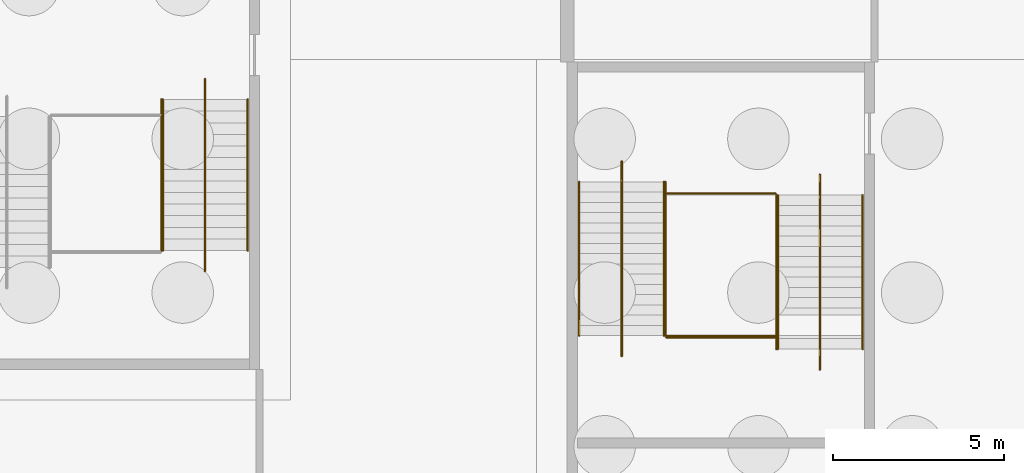
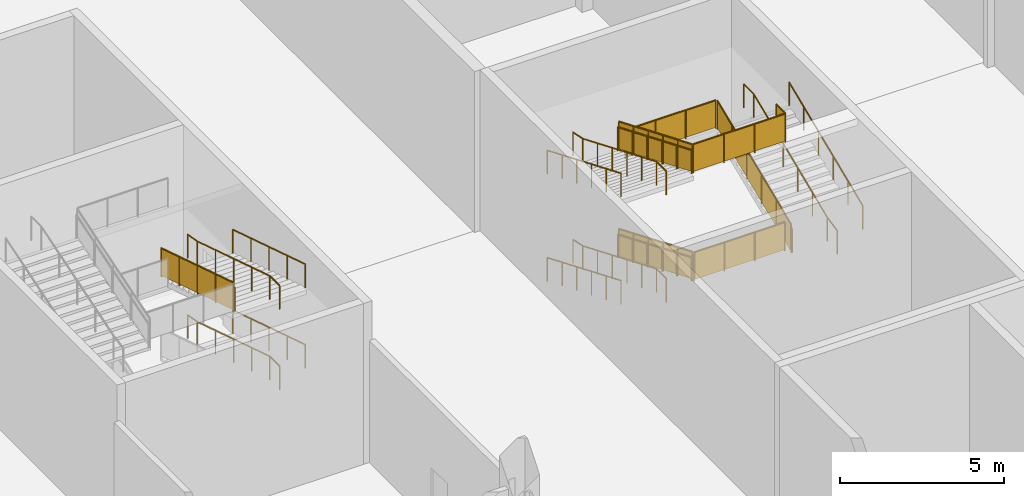
# One storey, part 28 of 42: 21 railings.
"""IFC4 building model written with IfcOpenShell, lengths in metres."""

from ifc_helpers import new_model, si_unit, direction, frame, origin, origin_2d, place, context, subcontext, project, spatial, polyline, circle, outline, extrude, material, type_object, element, save


model = new_model("IFC4")

# Units and contexts
model_context = context("Model", 3, precision=1e-05, world=origin(), true_north=direction((0.0, 1.0)))
body_context = subcontext(model_context, "Body", "Model", "MODEL_VIEW")
ifc_project = project(units=[si_unit("LENGTHUNIT", "METRE"), si_unit("AREAUNIT", "SQUARE_METRE"), si_unit("VOLUMEUNIT", "CUBIC_METRE"), si_unit("PLANEANGLEUNIT", "RADIAN"), si_unit("MASSUNIT", "GRAM", prefix="KILO")], contexts=[model_context])

# Site, building, storey
site_placement = place(None, origin())
site = spatial("IfcSite", under=ifc_project, at=site_placement, CompositionType="ELEMENT")
building_placement = place(site_placement, origin())
building = spatial("IfcBuilding", under=site, at=building_placement, Name="Silverbay Arena", CompositionType="ELEMENT")
storey_placement = place(building_placement, frame((0.0, 0.0, -6.0)))
storey = spatial("IfcBuildingStorey", under=building, at=storey_placement, Name="B1", CompositionType="ELEMENT", Elevation=-6.0)

# Railings
ifc_material_1 = material(Name="Stainless steel", Category="steel")
railing_type_1 = type_object("IfcRailingType", Name="Stair guard 1100", PredefinedType="GUARDRAIL", material=ifc_material_1)
railing_1_placement = place(storey_placement, frame((60.125, 61.899169921875, 3.107177734375)))
element("IfcRailing", 1, at=railing_1_placement, inside=storey, type_object=railing_type_1, Name="Stair ST-W1 B1 to L00 flight 3 guard right", PredefinedType="GUARDRAIL", context=body_context, shape_type="SweptSolid", body=[
    extrude(circle(Radius=0.02392578125, at=origin_2d()), frame((0.0, 0.0, 1.076171875), z_axis=(0.0, -0.953769580967, 0.300538826811), x_axis=(1.0, 0.0, 0.0)), (0.0, 0.0, 1.0), 4.634521484375),
    extrude(outline(polyline([(-0.008056640625, 0.04736328125), (1.113037109375, 0.400634765625), (1.113037109375, 1.40380859375), (-0.008056640625, 1.050537109375), (-0.008056640625, 0.04736328125)])), frame((0.0029296875, 0.0, 0.0), z_axis=(-1.0, 0.0, 0.0), x_axis=(0.0, -1.0, 0.0)), (0.0, 0.0, 1.0), 0.006103515625),
    extrude(outline(polyline([(-0.008056640625, 0.395751953125), (1.113037109375, 0.7490234375), (1.113037109375, 1.751953125), (-0.008056640625, 1.398681640625), (-0.008056640625, 0.395751953125)])), frame((0.0029296875, -1.10498046875, 0.0), z_axis=(-1.0, 0.0, 0.0), x_axis=(0.0, -1.0, 0.0)), (0.0, 0.0, 1.0), 0.006103515625),
    extrude(outline(polyline([(-0.008056640625, 0.743896484375), (1.113037109375, 1.09716796875), (1.113037109375, 2.10009765625), (-0.008056640625, 1.746826171875), (-0.008056640625, 0.743896484375)])), frame((0.0029296875, -2.2099609375, 0.0), z_axis=(-1.0, 0.0, 0.0), x_axis=(0.0, -1.0, 0.0)), (0.0, 0.0, 1.0), 0.006103515625),
    extrude(outline(polyline([(-0.008056640625, 1.092041015625), (1.113037109375, 1.4453125), (1.113037109375, 2.4482421875), (-0.008056640625, 2.09521484375), (-0.008056640625, 1.092041015625)])), frame((0.0029296875, -3.315185546875, 0.0), z_axis=(-1.0, 0.0, 0.0), x_axis=(0.0, -1.0, 0.0)), (0.0, 0.0, 1.0), 0.006103515625),
    extrude(circle(Radius=0.02099609375, at=origin_2d()), origin(), (0.0, 0.0, 1.0), 1.052001953125),
    extrude(circle(Radius=0.02099609375, at=origin_2d()), frame((0.0, -1.10498046875, 0.34814453125)), (0.0, 0.0, 1.0), 1.052001953125),
    extrude(circle(Radius=0.02099609375, at=origin_2d()), frame((0.0, -2.2099609375, 0.6962890625)), (0.0, 0.0, 1.0), 1.052001953125),
    extrude(circle(Radius=0.02099609375, at=origin_2d()), frame((0.0, -3.315185546875, 1.044677734375)), (0.0, 0.0, 1.0), 1.052001953125),
    extrude(circle(Radius=0.02099609375, at=origin_2d()), frame((0.0, -4.420166015625, 1.392822265625)), (0.0, 0.0, 1.0), 1.052001953125),
])
railing_2_placement = place(storey_placement, frame((74.875, 59.489990234375, 0.125)))
element("IfcRailing", 2, at=railing_2_placement, inside=storey, type_object=railing_type_1, Name="Stair ST-SW2 B1 to L00 flight 1 guard left", PredefinedType="GUARDRAIL", context=body_context, shape_type="SweptSolid", body=[
    extrude(circle(Radius=0.02392578125, at=origin_2d()), frame((0.0, 0.0, 1.076171875), z_axis=(0.0, -0.923076923077, 0.384615384615), x_axis=(1.0, 0.0, 0.0)), (0.0, 0.0, 1.0), 4.875),
    extrude(outline(polyline([(-0.008056640625, 0.046630859375), (0.907958984375, 0.42822265625), (0.907958984375, 1.431396484375), (-0.008056640625, 1.049560546875), (-0.008056640625, 0.046630859375)])), frame((0.0029296875, 0.0, 0.0), z_axis=(-1.0, 0.0, 0.0), x_axis=(0.0, -1.0, 0.0)), (0.0, 0.0, 1.0), 0.006103515625),
    extrude(outline(polyline([(-0.008056640625, 0.421630859375), (0.907958984375, 0.80322265625), (0.907958984375, 1.806396484375), (-0.008056640625, 1.424560546875), (-0.008056640625, 0.421630859375)])), frame((0.0029296875, -0.89990234375, 0.0), z_axis=(-1.0, 0.0, 0.0), x_axis=(0.0, -1.0, 0.0)), (0.0, 0.0, 1.0), 0.006103515625),
    extrude(outline(polyline([(-0.008056640625, 0.796630859375), (0.907958984375, 1.17822265625), (0.907958984375, 2.181396484375), (-0.008056640625, 1.799560546875), (-0.008056640625, 0.796630859375)])), frame((0.0029296875, -1.800048828125, 0.0), z_axis=(-1.0, 0.0, 0.0), x_axis=(0.0, -1.0, 0.0)), (0.0, 0.0, 1.0), 0.006103515625),
    extrude(outline(polyline([(-0.008056640625, 1.171630859375), (0.907958984375, 1.55322265625), (0.907958984375, 2.556396484375), (-0.008056640625, 2.174560546875), (-0.008056640625, 1.171630859375)])), frame((0.0029296875, -2.699951171875, 0.0), z_axis=(-1.0, 0.0, 0.0), x_axis=(0.0, -1.0, 0.0)), (0.0, 0.0, 1.0), 0.006103515625),
    extrude(outline(polyline([(-0.008056640625, 1.546630859375), (0.907958984375, 1.92822265625), (0.907958984375, 2.931396484375), (-0.008056640625, 2.549560546875), (-0.008056640625, 1.546630859375)])), frame((0.0029296875, -3.60009765625, 0.0), z_axis=(-1.0, 0.0, 0.0), x_axis=(0.0, -1.0, 0.0)), (0.0, 0.0, 1.0), 0.006103515625),
    extrude(circle(Radius=0.02099609375, at=origin_2d()), origin(), (0.0, 0.0, 1.0), 1.052001953125),
    extrude(circle(Radius=0.02099609375, at=origin_2d()), frame((0.0, -0.89990234375, 0.375)), (0.0, 0.0, 1.0), 1.052001953125),
    extrude(circle(Radius=0.02099609375, at=origin_2d()), frame((0.0, -1.800048828125, 0.75)), (0.0, 0.0, 1.0), 1.052001953125),
    extrude(circle(Radius=0.02099609375, at=origin_2d()), frame((0.0, -2.699951171875, 1.125)), (0.0, 0.0, 1.0), 1.052001953125),
    extrude(circle(Radius=0.02099609375, at=origin_2d()), frame((0.0, -3.60009765625, 1.5)), (0.0, 0.0, 1.0), 1.052001953125),
    extrude(circle(Radius=0.02099609375, at=origin_2d()), frame((0.0, -4.5, 1.875)), (0.0, 0.0, 1.0), 1.052001953125),
])
railing_3_placement = place(storey_placement, frame((78.125, 54.60009765625, 2.125)))
element("IfcRailing", 3, at=railing_3_placement, inside=storey, type_object=railing_type_1, Name="Stair ST-SW2 B1 to L00 flight 2 guard right", PredefinedType="GUARDRAIL", context=body_context, shape_type="SweptSolid", body=[
    extrude(circle(Radius=0.02392578125, at=origin_2d()), frame((0.0, 0.0, 1.076171875), z_axis=(0.0, 0.923076923077, 0.384615384615), x_axis=(-1.0, 0.0, 0.0)), (0.0, 0.0, 1.0), 4.875),
    extrude(outline(polyline([(-0.008056640625, 0.046630859375), (0.907958984375, 0.42822265625), (0.907958984375, 1.431396484375), (-0.008056640625, 1.049560546875), (-0.008056640625, 0.046630859375)])), frame((-0.0029296875, 0.0, 0.0), z_axis=(1.0, 0.0, 0.0), x_axis=(0.0, 1.0, 0.0)), (0.0, 0.0, 1.0), 0.006103515625),
    extrude(outline(polyline([(-0.008056640625, 0.421630859375), (0.907958984375, 0.80322265625), (0.907958984375, 1.806396484375), (-0.008056640625, 1.424560546875), (-0.008056640625, 0.421630859375)])), frame((-0.0029296875, 0.89990234375, 0.0), z_axis=(1.0, 0.0, 0.0), x_axis=(0.0, 1.0, 0.0)), (0.0, 0.0, 1.0), 0.006103515625),
    extrude(outline(polyline([(-0.008056640625, 0.796630859375), (0.907958984375, 1.17822265625), (0.907958984375, 2.181396484375), (-0.008056640625, 1.799560546875), (-0.008056640625, 0.796630859375)])), frame((-0.0029296875, 1.800048828125, 0.0), z_axis=(1.0, 0.0, 0.0), x_axis=(0.0, 1.0, 0.0)), (0.0, 0.0, 1.0), 0.006103515625),
    extrude(outline(polyline([(-0.008056640625, 1.171630859375), (0.907958984375, 1.55322265625), (0.907958984375, 2.556396484375), (-0.008056640625, 2.174560546875), (-0.008056640625, 1.171630859375)])), frame((-0.0029296875, 2.699951171875, 0.0), z_axis=(1.0, 0.0, 0.0), x_axis=(0.0, 1.0, 0.0)), (0.0, 0.0, 1.0), 0.006103515625),
    extrude(outline(polyline([(-0.008056640625, 1.546630859375), (0.907958984375, 1.92822265625), (0.907958984375, 2.931396484375), (-0.008056640625, 2.549560546875), (-0.008056640625, 1.546630859375)])), frame((-0.0029296875, 3.60009765625, 0.0), z_axis=(1.0, 0.0, 0.0), x_axis=(0.0, 1.0, 0.0)), (0.0, 0.0, 1.0), 0.006103515625),
    extrude(circle(Radius=0.02099609375, at=origin_2d()), origin(), (0.0, 0.0, 1.0), 1.052001953125),
    extrude(circle(Radius=0.02099609375, at=origin_2d()), frame((0.0, 0.89990234375, 0.375)), (0.0, 0.0, 1.0), 1.052001953125),
    extrude(circle(Radius=0.02099609375, at=origin_2d()), frame((0.0, 1.800048828125, 0.75)), (0.0, 0.0, 1.0), 1.052001953125),
    extrude(circle(Radius=0.02099609375, at=origin_2d()), frame((0.0, 2.699951171875, 1.125)), (0.0, 0.0, 1.0), 1.052001953125),
    extrude(circle(Radius=0.02099609375, at=origin_2d()), frame((0.0, 3.60009765625, 1.5)), (0.0, 0.0, 1.0), 1.052001953125),
    extrude(circle(Radius=0.02099609375, at=origin_2d()), frame((0.0, 4.5, 1.875)), (0.0, 0.0, 1.0), 1.052001953125),
])
railing_4_placement = place(storey_placement, frame((74.875, 59.489990234375, 4.125)))
element("IfcRailing", 4, at=railing_4_placement, inside=storey, type_object=railing_type_1, Name="Stair ST-SW2 B1 to L00 flight 3 guard left", PredefinedType="GUARDRAIL", context=body_context, shape_type="SweptSolid", body=[
    extrude(circle(Radius=0.02392578125, at=origin_2d()), frame((0.0, 0.0, 1.076171875), z_axis=(0.0, -0.923076923077, 0.384615384615), x_axis=(1.0, 0.0, 0.0)), (0.0, 0.0, 1.0), 4.875),
    extrude(outline(polyline([(-0.008056640625, 0.046630859375), (0.907958984375, 0.42822265625), (0.907958984375, 1.431396484375), (-0.008056640625, 1.049560546875), (-0.008056640625, 0.046630859375)])), frame((0.0029296875, 0.0, 0.0), z_axis=(-1.0, 0.0, 0.0), x_axis=(0.0, -1.0, 0.0)), (0.0, 0.0, 1.0), 0.006103515625),
    extrude(outline(polyline([(-0.008056640625, 0.421630859375), (0.907958984375, 0.80322265625), (0.907958984375, 1.806396484375), (-0.008056640625, 1.424560546875), (-0.008056640625, 0.421630859375)])), frame((0.0029296875, -0.89990234375, 0.0), z_axis=(-1.0, 0.0, 0.0), x_axis=(0.0, -1.0, 0.0)), (0.0, 0.0, 1.0), 0.006103515625),
    extrude(outline(polyline([(-0.008056640625, 0.796630859375), (0.907958984375, 1.17822265625), (0.907958984375, 2.181396484375), (-0.008056640625, 1.799560546875), (-0.008056640625, 0.796630859375)])), frame((0.0029296875, -1.800048828125, 0.0), z_axis=(-1.0, 0.0, 0.0), x_axis=(0.0, -1.0, 0.0)), (0.0, 0.0, 1.0), 0.006103515625),
    extrude(outline(polyline([(-0.008056640625, 1.171630859375), (0.907958984375, 1.55322265625), (0.907958984375, 2.556396484375), (-0.008056640625, 2.174560546875), (-0.008056640625, 1.171630859375)])), frame((0.0029296875, -2.699951171875, 0.0), z_axis=(-1.0, 0.0, 0.0), x_axis=(0.0, -1.0, 0.0)), (0.0, 0.0, 1.0), 0.006103515625),
    extrude(outline(polyline([(-0.008056640625, 1.546630859375), (0.907958984375, 1.92822265625), (0.907958984375, 2.931396484375), (-0.008056640625, 2.549560546875), (-0.008056640625, 1.546630859375)])), frame((0.0029296875, -3.60009765625, 0.0), z_axis=(-1.0, 0.0, 0.0), x_axis=(0.0, -1.0, 0.0)), (0.0, 0.0, 1.0), 0.006103515625),
    extrude(circle(Radius=0.02099609375, at=origin_2d()), origin(), (0.0, 0.0, 1.0), 1.052001953125),
    extrude(circle(Radius=0.02099609375, at=origin_2d()), frame((0.0, -0.89990234375, 0.375)), (0.0, 0.0, 1.0), 1.052001953125),
    extrude(circle(Radius=0.02099609375, at=origin_2d()), frame((0.0, -1.800048828125, 0.75)), (0.0, 0.0, 1.0), 1.052001953125),
    extrude(circle(Radius=0.02099609375, at=origin_2d()), frame((0.0, -2.699951171875, 1.125)), (0.0, 0.0, 1.0), 1.052001953125),
    extrude(circle(Radius=0.02099609375, at=origin_2d()), frame((0.0, -3.60009765625, 1.5)), (0.0, 0.0, 1.0), 1.052001953125),
    extrude(circle(Radius=0.02099609375, at=origin_2d()), frame((0.0, -4.5, 1.875)), (0.0, 0.0, 1.0), 1.052001953125),
])
for number, where, name in (
    (5, (78.10009765625, 54.93994140625, 2.0), "Stair ST-SW2 B1 to L00 landing 1 guard"),
    (6, (78.10009765625, 59.14990234375, 4.0), "Stair ST-SW2 B1 to L00 landing 2 guard"),
):
    element("IfcRailing", number, at=place(storey_placement, frame(where)), inside=storey, type_object=railing_type_1, Name=name, PredefinedType="GUARDRAIL", context=body_context, shape_type="SweptSolid", body=[
        extrude(circle(Radius=0.02392578125, at=origin_2d()), frame((0.0, 0.0, 1.076171875), z_axis=(-1.0, 0.0, 0.0), x_axis=(0.0, -1.0, 0.0)), (0.0, 0.0, 1.0), 3.2001953125),
        extrude(outline(polyline([(-0.008056640625, 0.050048828125), (1.07470703125, 0.050048828125), (1.07470703125, 1.052978515625), (-0.008056640625, 1.052978515625), (-0.008056640625, 0.050048828125)])), frame((0.0, -0.0029296875, 0.0), z_axis=(0.0, 1.0, 0.0), x_axis=(-1.0, 0.0, 0.0)), (0.0, 0.0, 1.0), 0.006103515625),
        extrude(outline(polyline([(-0.008056640625, 0.050048828125), (1.07470703125, 0.050048828125), (1.07470703125, 1.052978515625), (-0.008056640625, 1.052978515625), (-0.008056640625, 0.050048828125)])), frame((-1.066650390625, -0.0029296875, 0.0), z_axis=(0.0, 1.0, 0.0), x_axis=(-1.0, 0.0, 0.0)), (0.0, 0.0, 1.0), 0.006103515625),
        extrude(outline(polyline([(-0.008056640625, 0.050048828125), (1.07470703125, 0.050048828125), (1.07470703125, 1.052978515625), (-0.008056640625, 1.052978515625), (-0.008056640625, 0.050048828125)])), frame((-2.133544921875, -0.0029296875, 0.0), z_axis=(0.0, 1.0, 0.0), x_axis=(-1.0, 0.0, 0.0)), (0.0, 0.0, 1.0), 0.006103515625),
        extrude(circle(Radius=0.02099609375, at=origin_2d()), origin(), (0.0, 0.0, 1.0), 1.052001953125),
        extrude(circle(Radius=0.02099609375, at=origin_2d()), frame((-1.066650390625, 0.0, 0.0)), (0.0, 0.0, 1.0), 1.052001953125),
        extrude(circle(Radius=0.02099609375, at=origin_2d()), frame((-2.133544921875, 0.0, 0.0)), (0.0, 0.0, 1.0), 1.052001953125),
        extrude(circle(Radius=0.02099609375, at=origin_2d()), frame((-3.2001953125, 0.0, 0.0)), (0.0, 0.0, 1.0), 1.052001953125),
    ])
railing_5_placement = place(storey_placement, frame((78.14990234375, 55.550048828125, 6.0)))
element("IfcRailing", 7, at=railing_5_placement, inside=storey, type_object=railing_type_1, Name="Stair ST-SW2 B1 to L00 landing 3 guard", PredefinedType="GUARDRAIL", context=body_context, shape_type="SweptSolid", body=[
    extrude(circle(Radius=0.02392578125, at=origin_2d()), frame((0.0, 0.0, 1.076171875), z_axis=(0.0, -1.0, 0.0), x_axis=(1.0, 0.0, 0.0)), (0.0, 0.0, 1.0), 0.56005859375),
    extrude(outline(polyline([(-0.008056640625, 0.050048828125), (0.568115234375, 0.050048828125), (0.568115234375, 1.052978515625), (-0.008056640625, 1.052978515625), (-0.008056640625, 0.050048828125)])), frame((0.0029296875, 0.0, 0.0), z_axis=(-1.0, 0.0, 0.0), x_axis=(0.0, -1.0, 0.0)), (0.0, 0.0, 1.0), 0.006103515625),
    extrude(circle(Radius=0.02392578125, at=origin_2d()), frame((0.0, -0.56005859375, 1.076171875), z_axis=(-1.0, 0.0, 0.0), x_axis=(0.0, -1.0, 0.0)), (0.0, 0.0, 1.0), 3.25),
    extrude(outline(polyline([(-0.008056640625, 0.050048828125), (1.09130859375, 0.050048828125), (1.09130859375, 1.052978515625), (-0.008056640625, 1.052978515625), (-0.008056640625, 0.050048828125)])), frame((0.0, -0.56298828125, 0.0), z_axis=(0.0, 1.0, 0.0), x_axis=(-1.0, 0.0, 0.0)), (0.0, 0.0, 1.0), 0.006103515625),
    extrude(outline(polyline([(-0.008056640625, 0.050048828125), (1.09130859375, 0.050048828125), (1.09130859375, 1.052978515625), (-0.008056640625, 1.052978515625), (-0.008056640625, 0.050048828125)])), frame((-1.083251953125, -0.56298828125, 0.0), z_axis=(0.0, 1.0, 0.0), x_axis=(-1.0, 0.0, 0.0)), (0.0, 0.0, 1.0), 0.006103515625),
    extrude(outline(polyline([(-0.008056640625, 0.050048828125), (1.09130859375, 0.050048828125), (1.09130859375, 1.052978515625), (-0.008056640625, 1.052978515625), (-0.008056640625, 0.050048828125)])), frame((-2.166748046875, -0.56298828125, 0.0), z_axis=(0.0, 1.0, 0.0), x_axis=(-1.0, 0.0, 0.0)), (0.0, 0.0, 1.0), 0.006103515625),
    extrude(circle(Radius=0.02099609375, at=origin_2d()), origin(), (0.0, 0.0, 1.0), 1.052001953125),
    extrude(circle(Radius=0.02099609375, at=origin_2d()), frame((0.0, -0.56005859375, 0.0)), (0.0, 0.0, 1.0), 1.052001953125),
    extrude(circle(Radius=0.02099609375, at=origin_2d()), frame((-1.083251953125, -0.56005859375, 0.0)), (0.0, 0.0, 1.0), 1.052001953125),
    extrude(circle(Radius=0.02099609375, at=origin_2d()), frame((-2.166748046875, -0.56005859375, 0.0)), (0.0, 0.0, 1.0), 1.052001953125),
    extrude(circle(Radius=0.02099609375, at=origin_2d()), frame((-3.25, -0.56005859375, 0.0)), (0.0, 0.0, 1.0), 1.052001953125),
])
ifc_material_2 = material(Name="Stainless steel", Category="steel")
railing_type_2 = type_object("IfcRailingType", Name="Stair handrail 900", PredefinedType="HANDRAIL", material=ifc_material_2)
railing_6_placement = place(storey_placement, frame((62.64990234375, 61.899169921875, 0.107177734375)))
element("IfcRailing", 8, at=railing_6_placement, inside=storey, type_object=railing_type_2, Name="Stair ST-W1 B1 to L00 flight 1 handrail left", PredefinedType="HANDRAIL", context=body_context, shape_type="SweptSolid", body=[
    extrude(circle(Radius=0.02392578125, at=origin_2d()), frame((0.0, 0.0, 0.8759765625), z_axis=(0.0, -0.953769580967, 0.300538826811), x_axis=(1.0, 0.0, 0.0)), (0.0, 0.0, 1.0), 4.634521484375),
    extrude(circle(Radius=0.02099609375, at=origin_2d()), origin(), (0.0, 0.0, 1.0), 0.851806640625),
    extrude(circle(Radius=0.02099609375, at=origin_2d()), frame((0.0, -1.10498046875, 0.34814453125)), (0.0, 0.0, 1.0), 0.851806640625),
    extrude(circle(Radius=0.02099609375, at=origin_2d()), frame((0.0, -2.2099609375, 0.6962890625)), (0.0, 0.0, 1.0), 0.851806640625),
    extrude(circle(Radius=0.02099609375, at=origin_2d()), frame((0.0, -3.315185546875, 1.044677734375)), (0.0, 0.0, 1.0), 0.851806640625),
    extrude(circle(Radius=0.02099609375, at=origin_2d()), frame((0.0, -4.420166015625, 1.392822265625)), (0.0, 0.0, 1.0), 0.851806640625),
])
railing_7_placement = place(storey_placement, frame((61.39990234375, 62.4990234375, 0.0)))
element("IfcRailing", 9, at=railing_7_placement, inside=storey, type_object=railing_type_2, Name="Stair ST-W1 B1 to L00 flight 1 central handrail", PredefinedType="HANDRAIL", context=body_context, shape_type="SweptSolid", body=[
    extrude(circle(Radius=0.02392578125, at=origin_2d()), frame((0.0, 0.0, 0.8759765625), z_axis=(0.0, -0.984410237054, 0.175887706173), x_axis=(1.0, 0.0, 0.0)), (0.0, 0.0, 1.0), 0.609375),
    extrude(circle(Radius=0.02392578125, at=origin_2d()), frame((0.0, -0.599853515625, 0.98291015625), z_axis=(0.0, -0.953769580967, 0.300538826811), x_axis=(1.0, 0.0, 0.0)), (0.0, 0.0, 1.0), 4.634521484375),
    extrude(circle(Radius=0.02392578125, at=origin_2d()), frame((0.0, -5.02001953125, 2.3759765625), z_axis=(0.0, -1.0, 0.0), x_axis=(1.0, 0.0, 0.0)), (0.0, 0.0, 1.0), 0.599853515625),
    extrude(circle(Radius=0.02099609375, at=origin_2d()), origin(), (0.0, 0.0, 1.0), 0.851806640625),
    extrude(circle(Radius=0.02099609375, at=origin_2d()), frame((0.0, -0.599853515625, 0.107177734375)), (0.0, 0.0, 1.0), 0.851806640625),
    extrude(circle(Radius=0.02099609375, at=origin_2d()), frame((0.0, -1.704833984375, 0.455322265625)), (0.0, 0.0, 1.0), 0.851806640625),
    extrude(circle(Radius=0.02099609375, at=origin_2d()), frame((0.0, -2.81005859375, 0.8037109375)), (0.0, 0.0, 1.0), 0.851806640625),
    extrude(circle(Radius=0.02099609375, at=origin_2d()), frame((0.0, -3.9150390625, 1.15185546875)), (0.0, 0.0, 1.0), 0.851806640625),
    extrude(circle(Radius=0.02099609375, at=origin_2d()), frame((0.0, -5.02001953125, 1.5)), (0.0, 0.0, 1.0), 0.851806640625),
    extrude(circle(Radius=0.02099609375, at=origin_2d()), frame((0.0, -5.619873046875, 1.5)), (0.0, 0.0, 1.0), 0.851806640625),
])
for number, where, name in (
    (10, (62.64990234375, 61.899169921875, 3.107177734375), "Stair ST-W1 B1 to L00 flight 3 handrail left"),
    (11, (60.1640625, 61.899169921875, 3.107177734375), "Stair ST-W1 B1 to L00 flight 3 handrail right"),
):
    element("IfcRailing", number, at=place(storey_placement, frame(where)), inside=storey, type_object=railing_type_2, Name=name, PredefinedType="HANDRAIL", context=body_context, shape_type="SweptSolid", body=[
        extrude(circle(Radius=0.02392578125, at=origin_2d()), frame((0.0, 0.0, 0.8759765625), z_axis=(0.0, -0.953769580967, 0.300538826811), x_axis=(1.0, 0.0, 0.0)), (0.0, 0.0, 1.0), 4.634521484375),
        extrude(circle(Radius=0.02099609375, at=origin_2d()), origin(), (0.0, 0.0, 1.0), 0.851806640625),
        extrude(circle(Radius=0.02099609375, at=origin_2d()), frame((0.0, -1.10498046875, 0.34814453125)), (0.0, 0.0, 1.0), 0.851806640625),
        extrude(circle(Radius=0.02099609375, at=origin_2d()), frame((0.0, -2.2099609375, 0.6962890625)), (0.0, 0.0, 1.0), 0.851806640625),
        extrude(circle(Radius=0.02099609375, at=origin_2d()), frame((0.0, -3.315185546875, 1.044677734375)), (0.0, 0.0, 1.0), 0.851806640625),
        extrude(circle(Radius=0.02099609375, at=origin_2d()), frame((0.0, -4.420166015625, 1.392822265625)), (0.0, 0.0, 1.0), 0.851806640625),
    ])
railing_8_placement = place(storey_placement, frame((61.39990234375, 62.4990234375, 3.0)))
element("IfcRailing", 12, at=railing_8_placement, inside=storey, type_object=railing_type_2, Name="Stair ST-W1 B1 to L00 flight 3 central handrail", PredefinedType="HANDRAIL", context=body_context, shape_type="SweptSolid", body=[
    extrude(circle(Radius=0.02392578125, at=origin_2d()), frame((0.0, 0.0, 0.8759765625), z_axis=(0.0, -0.984410237054, 0.175887706173), x_axis=(1.0, 0.0, 0.0)), (0.0, 0.0, 1.0), 0.609375),
    extrude(circle(Radius=0.02392578125, at=origin_2d()), frame((0.0, -0.599853515625, 0.98291015625), z_axis=(0.0, -0.953769580967, 0.300538826811), x_axis=(1.0, 0.0, 0.0)), (0.0, 0.0, 1.0), 4.634521484375),
    extrude(circle(Radius=0.02392578125, at=origin_2d()), frame((0.0, -5.02001953125, 2.3759765625), z_axis=(0.0, -1.0, 0.0), x_axis=(1.0, 0.0, 0.0)), (0.0, 0.0, 1.0), 0.599853515625),
    extrude(circle(Radius=0.02099609375, at=origin_2d()), origin(), (0.0, 0.0, 1.0), 0.851806640625),
    extrude(circle(Radius=0.02099609375, at=origin_2d()), frame((0.0, -0.599853515625, 0.107177734375)), (0.0, 0.0, 1.0), 0.851806640625),
    extrude(circle(Radius=0.02099609375, at=origin_2d()), frame((0.0, -1.704833984375, 0.455322265625)), (0.0, 0.0, 1.0), 0.851806640625),
    extrude(circle(Radius=0.02099609375, at=origin_2d()), frame((0.0, -2.81005859375, 0.8037109375)), (0.0, 0.0, 1.0), 0.851806640625),
    extrude(circle(Radius=0.02099609375, at=origin_2d()), frame((0.0, -3.9150390625, 1.15185546875)), (0.0, 0.0, 1.0), 0.851806640625),
    extrude(circle(Radius=0.02099609375, at=origin_2d()), frame((0.0, -5.02001953125, 1.5)), (0.0, 0.0, 1.0), 0.851806640625),
    extrude(circle(Radius=0.02099609375, at=origin_2d()), frame((0.0, -5.619873046875, 1.5)), (0.0, 0.0, 1.0), 0.851806640625),
])
for number, where, name in (
    (13, (74.8359375, 59.489990234375, 0.125), "Stair ST-SW2 B1 to L00 flight 1 handrail left"),
    (14, (72.35009765625, 59.489990234375, 0.125), "Stair ST-SW2 B1 to L00 flight 1 handrail right"),
):
    element("IfcRailing", number, at=place(storey_placement, frame(where)), inside=storey, type_object=railing_type_2, Name=name, PredefinedType="HANDRAIL", context=body_context, shape_type="SweptSolid", body=[
        extrude(circle(Radius=0.02392578125, at=origin_2d()), frame((0.0, 0.0, 0.8759765625), z_axis=(0.0, -0.923076923077, 0.384615384615), x_axis=(1.0, 0.0, 0.0)), (0.0, 0.0, 1.0), 4.875),
        extrude(circle(Radius=0.02099609375, at=origin_2d()), origin(), (0.0, 0.0, 1.0), 0.851806640625),
        extrude(circle(Radius=0.02099609375, at=origin_2d()), frame((0.0, -0.89990234375, 0.375)), (0.0, 0.0, 1.0), 0.851806640625),
        extrude(circle(Radius=0.02099609375, at=origin_2d()), frame((0.0, -1.800048828125, 0.75)), (0.0, 0.0, 1.0), 0.851806640625),
        extrude(circle(Radius=0.02099609375, at=origin_2d()), frame((0.0, -2.699951171875, 1.125)), (0.0, 0.0, 1.0), 0.851806640625),
        extrude(circle(Radius=0.02099609375, at=origin_2d()), frame((0.0, -3.60009765625, 1.5)), (0.0, 0.0, 1.0), 0.851806640625),
        extrude(circle(Radius=0.02099609375, at=origin_2d()), frame((0.0, -4.5, 1.875)), (0.0, 0.0, 1.0), 0.851806640625),
    ])
railing_9_placement = place(storey_placement, frame((73.60009765625, 60.090087890625, 0.0)))
element("IfcRailing", 15, at=railing_9_placement, inside=storey, type_object=railing_type_2, Name="Stair ST-SW2 B1 to L00 flight 1 central handrail", PredefinedType="HANDRAIL", context=body_context, shape_type="SweptSolid", body=[
    extrude(circle(Radius=0.02392578125, at=origin_2d()), frame((0.0, 0.0, 0.8759765625), z_axis=(0.0, -0.978987046276, 0.203922444139), x_axis=(1.0, 0.0, 0.0)), (0.0, 0.0, 1.0), 0.613037109375),
    extrude(circle(Radius=0.02392578125, at=origin_2d()), frame((0.0, -0.60009765625, 1.0009765625), z_axis=(0.0, -0.923076923077, 0.384615384615), x_axis=(1.0, 0.0, 0.0)), (0.0, 0.0, 1.0), 4.875),
    extrude(circle(Radius=0.02392578125, at=origin_2d()), frame((0.0, -5.10009765625, 2.8759765625), z_axis=(0.0, -1.0, 0.0), x_axis=(1.0, 0.0, 0.0)), (0.0, 0.0, 1.0), 0.60009765625),
    extrude(circle(Radius=0.02099609375, at=origin_2d()), origin(), (0.0, 0.0, 1.0), 0.851806640625),
    extrude(circle(Radius=0.02099609375, at=origin_2d()), frame((0.0, -0.60009765625, 0.125)), (0.0, 0.0, 1.0), 0.851806640625),
    extrude(circle(Radius=0.02099609375, at=origin_2d()), frame((0.0, -1.5, 0.5)), (0.0, 0.0, 1.0), 0.851806640625),
    extrude(circle(Radius=0.02099609375, at=origin_2d()), frame((0.0, -2.400146484375, 0.875)), (0.0, 0.0, 1.0), 0.851806640625),
    extrude(circle(Radius=0.02099609375, at=origin_2d()), frame((0.0, -3.300048828125, 1.25)), (0.0, 0.0, 1.0), 0.851806640625),
    extrude(circle(Radius=0.02099609375, at=origin_2d()), frame((0.0, -4.2001953125, 1.625)), (0.0, 0.0, 1.0), 0.851806640625),
    extrude(circle(Radius=0.02099609375, at=origin_2d()), frame((0.0, -5.10009765625, 2.0)), (0.0, 0.0, 1.0), 0.851806640625),
    extrude(circle(Radius=0.02099609375, at=origin_2d()), frame((0.0, -5.7001953125, 2.0)), (0.0, 0.0, 1.0), 0.851806640625),
])
for number, where, name in (
    (16, (80.64990234375, 54.60009765625, 2.125), "Stair ST-SW2 B1 to L00 flight 2 handrail left"),
    (17, (78.1640625, 54.60009765625, 2.125), "Stair ST-SW2 B1 to L00 flight 2 handrail right"),
):
    element("IfcRailing", number, at=place(storey_placement, frame(where)), inside=storey, type_object=railing_type_2, Name=name, PredefinedType="HANDRAIL", context=body_context, shape_type="SweptSolid", body=[
        extrude(circle(Radius=0.02392578125, at=origin_2d()), frame((0.0, 0.0, 0.8759765625), z_axis=(0.0, 0.923076923077, 0.384615384615), x_axis=(-1.0, 0.0, 0.0)), (0.0, 0.0, 1.0), 4.875),
        extrude(circle(Radius=0.02099609375, at=origin_2d()), origin(), (0.0, 0.0, 1.0), 0.851806640625),
        extrude(circle(Radius=0.02099609375, at=origin_2d()), frame((0.0, 0.89990234375, 0.375)), (0.0, 0.0, 1.0), 0.851806640625),
        extrude(circle(Radius=0.02099609375, at=origin_2d()), frame((0.0, 1.800048828125, 0.75)), (0.0, 0.0, 1.0), 0.851806640625),
        extrude(circle(Radius=0.02099609375, at=origin_2d()), frame((0.0, 2.699951171875, 1.125)), (0.0, 0.0, 1.0), 0.851806640625),
        extrude(circle(Radius=0.02099609375, at=origin_2d()), frame((0.0, 3.60009765625, 1.5)), (0.0, 0.0, 1.0), 0.851806640625),
        extrude(circle(Radius=0.02099609375, at=origin_2d()), frame((0.0, 4.5, 1.875)), (0.0, 0.0, 1.0), 0.851806640625),
    ])
railing_10_placement = place(storey_placement, frame((79.39990234375, 54.0, 2.0)))
element("IfcRailing", 18, at=railing_10_placement, inside=storey, type_object=railing_type_2, Name="Stair ST-SW2 B1 to L00 flight 2 central handrail", PredefinedType="HANDRAIL", context=body_context, shape_type="SweptSolid", body=[
    extrude(circle(Radius=0.02392578125, at=origin_2d()), frame((0.0, 0.0, 0.8759765625), z_axis=(0.0, 0.978987046276, 0.203922444139), x_axis=(-1.0, 0.0, 0.0)), (0.0, 0.0, 1.0), 0.613037109375),
    extrude(circle(Radius=0.02392578125, at=origin_2d()), frame((0.0, 0.60009765625, 1.0009765625), z_axis=(0.0, 0.923076923077, 0.384615384615), x_axis=(-1.0, 0.0, 0.0)), (0.0, 0.0, 1.0), 4.875),
    extrude(circle(Radius=0.02392578125, at=origin_2d()), frame((0.0, 5.10009765625, 2.8759765625), z_axis=(0.0, 1.0, 0.0), x_axis=(-1.0, 0.0, 0.0)), (0.0, 0.0, 1.0), 0.599853515625),
    extrude(circle(Radius=0.02099609375, at=origin_2d()), origin(), (0.0, 0.0, 1.0), 0.851806640625),
    extrude(circle(Radius=0.02099609375, at=origin_2d()), frame((0.0, 0.60009765625, 0.125)), (0.0, 0.0, 1.0), 0.851806640625),
    extrude(circle(Radius=0.02099609375, at=origin_2d()), frame((0.0, 1.5, 0.5)), (0.0, 0.0, 1.0), 0.851806640625),
    extrude(circle(Radius=0.02099609375, at=origin_2d()), frame((0.0, 2.400146484375, 0.875)), (0.0, 0.0, 1.0), 0.851806640625),
    extrude(circle(Radius=0.02099609375, at=origin_2d()), frame((0.0, 3.300048828125, 1.25)), (0.0, 0.0, 1.0), 0.851806640625),
    extrude(circle(Radius=0.02099609375, at=origin_2d()), frame((0.0, 4.2001953125, 1.625)), (0.0, 0.0, 1.0), 0.851806640625),
    extrude(circle(Radius=0.02099609375, at=origin_2d()), frame((0.0, 5.10009765625, 2.0)), (0.0, 0.0, 1.0), 0.851806640625),
    extrude(circle(Radius=0.02099609375, at=origin_2d()), frame((0.0, 5.699951171875, 2.0)), (0.0, 0.0, 1.0), 0.851806640625),
])
for number, where, name in (
    (19, (74.8359375, 59.489990234375, 4.125), "Stair ST-SW2 B1 to L00 flight 3 handrail left"),
    (20, (72.35009765625, 59.489990234375, 4.125), "Stair ST-SW2 B1 to L00 flight 3 handrail right"),
):
    element("IfcRailing", number, at=place(storey_placement, frame(where)), inside=storey, type_object=railing_type_2, Name=name, PredefinedType="HANDRAIL", context=body_context, shape_type="SweptSolid", body=[
        extrude(circle(Radius=0.02392578125, at=origin_2d()), frame((0.0, 0.0, 0.8759765625), z_axis=(0.0, -0.923076923077, 0.384615384615), x_axis=(1.0, 0.0, 0.0)), (0.0, 0.0, 1.0), 4.875),
        extrude(circle(Radius=0.02099609375, at=origin_2d()), origin(), (0.0, 0.0, 1.0), 0.851806640625),
        extrude(circle(Radius=0.02099609375, at=origin_2d()), frame((0.0, -0.89990234375, 0.375)), (0.0, 0.0, 1.0), 0.851806640625),
        extrude(circle(Radius=0.02099609375, at=origin_2d()), frame((0.0, -1.800048828125, 0.75)), (0.0, 0.0, 1.0), 0.851806640625),
        extrude(circle(Radius=0.02099609375, at=origin_2d()), frame((0.0, -2.699951171875, 1.125)), (0.0, 0.0, 1.0), 0.851806640625),
        extrude(circle(Radius=0.02099609375, at=origin_2d()), frame((0.0, -3.60009765625, 1.5)), (0.0, 0.0, 1.0), 0.851806640625),
        extrude(circle(Radius=0.02099609375, at=origin_2d()), frame((0.0, -4.5, 1.875)), (0.0, 0.0, 1.0), 0.851806640625),
    ])
railing_11_placement = place(storey_placement, frame((73.60009765625, 60.090087890625, 4.0)))
element("IfcRailing", 21, at=railing_11_placement, inside=storey, type_object=railing_type_2, Name="Stair ST-SW2 B1 to L00 flight 3 central handrail", PredefinedType="HANDRAIL", context=body_context, shape_type="SweptSolid", body=[
    extrude(circle(Radius=0.02392578125, at=origin_2d()), frame((0.0, 0.0, 0.8759765625), z_axis=(0.0, -0.978987046276, 0.203922444139), x_axis=(1.0, 0.0, 0.0)), (0.0, 0.0, 1.0), 0.613037109375),
    extrude(circle(Radius=0.02392578125, at=origin_2d()), frame((0.0, -0.60009765625, 1.0009765625), z_axis=(0.0, -0.923076923077, 0.384615384615), x_axis=(1.0, 0.0, 0.0)), (0.0, 0.0, 1.0), 4.875),
    extrude(circle(Radius=0.02392578125, at=origin_2d()), frame((0.0, -5.10009765625, 2.8759765625), z_axis=(0.0, -1.0, 0.0), x_axis=(1.0, 0.0, 0.0)), (0.0, 0.0, 1.0), 0.60009765625),
    extrude(circle(Radius=0.02099609375, at=origin_2d()), origin(), (0.0, 0.0, 1.0), 0.851806640625),
    extrude(circle(Radius=0.02099609375, at=origin_2d()), frame((0.0, -0.60009765625, 0.125)), (0.0, 0.0, 1.0), 0.851806640625),
    extrude(circle(Radius=0.02099609375, at=origin_2d()), frame((0.0, -1.5, 0.5)), (0.0, 0.0, 1.0), 0.851806640625),
    extrude(circle(Radius=0.02099609375, at=origin_2d()), frame((0.0, -2.400146484375, 0.875)), (0.0, 0.0, 1.0), 0.851806640625),
    extrude(circle(Radius=0.02099609375, at=origin_2d()), frame((0.0, -3.300048828125, 1.25)), (0.0, 0.0, 1.0), 0.851806640625),
    extrude(circle(Radius=0.02099609375, at=origin_2d()), frame((0.0, -4.2001953125, 1.625)), (0.0, 0.0, 1.0), 0.851806640625),
    extrude(circle(Radius=0.02099609375, at=origin_2d()), frame((0.0, -5.10009765625, 2.0)), (0.0, 0.0, 1.0), 0.851806640625),
    extrude(circle(Radius=0.02099609375, at=origin_2d()), frame((0.0, -5.7001953125, 2.0)), (0.0, 0.0, 1.0), 0.851806640625),
])

save(model, "model.ifc")
